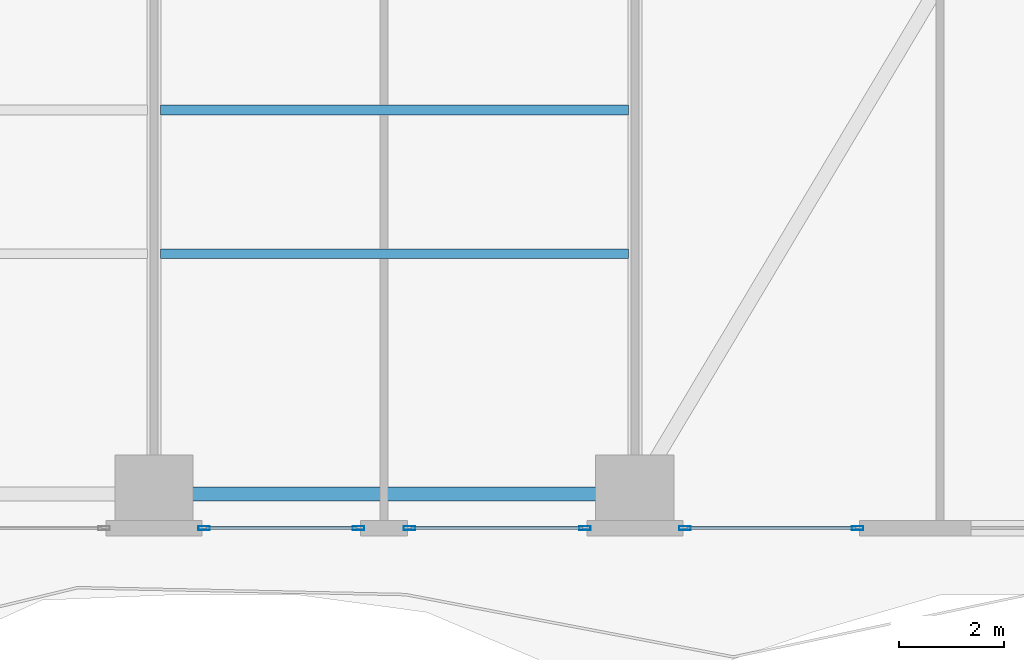
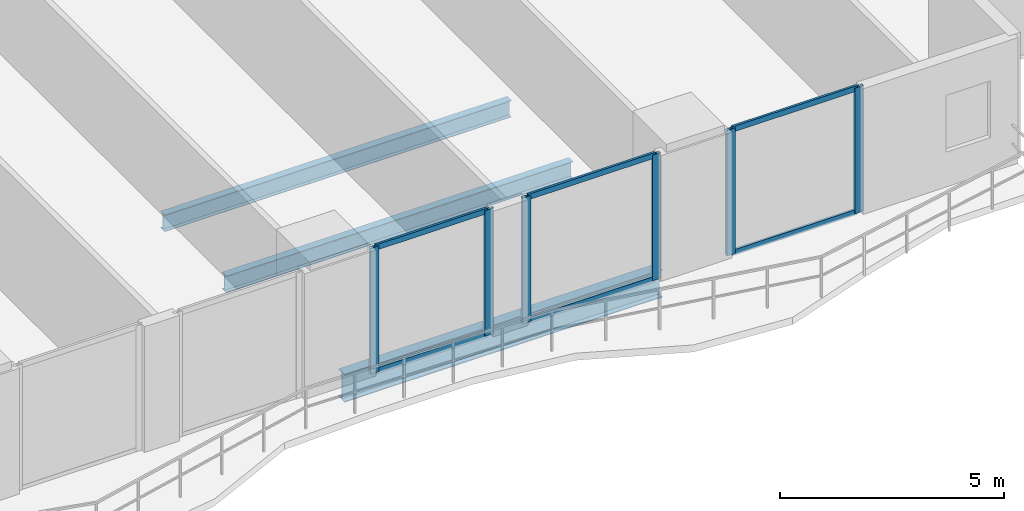
# One storey, part 8 of 29: 12 members, 3 beams, 3 elements without a shape of their own.
"""IFC4 building model written with IfcOpenShell, lengths in metres."""

from ifc_helpers import new_model, si_unit, direction, frame, origin, origin_2d, place, context, subcontext, project, spatial, hollow_rectangle, i_section, extrude, material, layer, layer_set, material_profile, profile_set, type_object, element, aggregate, save


model = new_model("IFC4")

# Units and contexts
model_context = context("Model", 3, precision=1e-05, world=origin(), true_north=direction((0.0, 1.0)))
body_context = subcontext(model_context, "Body", "Model", "MODEL_VIEW")
ifc_project = project(units=[si_unit("LENGTHUNIT", "METRE"), si_unit("AREAUNIT", "SQUARE_METRE"), si_unit("VOLUMEUNIT", "CUBIC_METRE"), si_unit("PLANEANGLEUNIT", "RADIAN"), si_unit("MASSUNIT", "GRAM", prefix="KILO")], contexts=[model_context])

# Site, building, storey
site_placement = place(None, origin())
site = spatial("IfcSite", under=ifc_project, at=site_placement, CompositionType="ELEMENT")
building_placement = place(site_placement, origin())
building = spatial("IfcBuilding", under=site, at=building_placement, Name="Zuhayl Quay Hotel", CompositionType="ELEMENT")
storey_placement = place(building_placement, frame((0.0, 0.0, 64.10009765625)))
storey = spatial("IfcBuildingStorey", under=building, at=storey_placement, Name="L15", CompositionType="ELEMENT", Elevation=64.10009765625)

# Beams
ifc_material_1 = material(Name="Steel ASTM A992 Grade 50", Category="steel")
ifc_material_profile_1 = material_profile(ifc_material_1, i_section(OverallWidth=0.26708984375, OverallDepth=0.761962890625, WebThickness=0.014404296875, FlangeThickness=0.021484375, at=origin_2d()), Name="W30X116")
ifc_profile_set_1 = profile_set([ifc_material_profile_1], Name="Steel ASTM A992 Grade 50")
beam_type_1 = type_object("IfcBeamType", Name="BM_B1_W30X116", PredefinedType="BEAM", material=ifc_profile_set_1)
beam_placement = place(storey_placement, frame((5.10009765625, -22.449951171875, -0.60107421875), z_axis=(1.0, 0.0, 0.0), x_axis=(0.0, 1.0, 0.0)))
element("IfcBeam", 1, at=beam_placement, inside=storey, type_object=beam_type_1, Name="L15 Floor Beam RG_L15_03", PredefinedType="BEAM", context=body_context, shape_type="SweptSolid", body=[
    extrude(i_section(OverallWidth=0.26708984375, OverallDepth=0.761962890625, WebThickness=0.014404296875, FlangeThickness=0.021484375, at=origin_2d()), origin(), (0.0, 0.0, 1.0), 8.199951171875),
])
ifc_material_profile_2 = material_profile(ifc_material_1, i_section(OverallWidth=0.18994140625, OverallDepth=0.45703125, WebThickness=0.009033203125, FlangeThickness=0.014404296875, at=origin_2d()), Name="W18X50")
ifc_profile_set_2 = profile_set([ifc_material_profile_2], Name="Steel ASTM A992 Grade 50")
beam_type_2 = type_object("IfcBeamType", Name="BM_J2_W18X50", PredefinedType="JOIST", material=ifc_profile_set_2)
for number, where, z_axis, x_axis, name in (
    (2, (4.7255859375, -17.85009765625, -0.448486328125), (1.0, 0.0, 0.0), (0.0, 1.0, 0.0), "L15 Floor Beam FJ_L15_3_3"),
    (3, (4.7255859375, -15.10009765625, -0.448486328125), (1.0, 0.0, 0.0), (0.0, 1.0, 0.0), "L15 Floor Beam FJ_L15_4_3"),
):
    element("IfcBeam", number, at=place(storey_placement, frame(where, z_axis=z_axis, x_axis=x_axis)), inside=storey, type_object=beam_type_2, Name=name, PredefinedType="JOIST", context=body_context, shape_type="SweptSolid", body=[
        extrude(i_section(OverallWidth=0.18994140625, OverallDepth=0.45703125, WebThickness=0.009033203125, FlangeThickness=0.014404296875, at=origin_2d()), origin(), (0.0, 0.0, 1.0), 8.948974609375),
    ])

# Curtain wall, members
ifc_material_2 = material(Name="Anodised Aluminium 6063-T6", Category="aluminium")
ifc_layer = layer(ifc_material_2, 0.18994140625, Name="Anodised Aluminium 6063-T6", Category="aluminium")
ifc_layer_set = layer_set([ifc_layer], Name="Anodised Aluminium 6063-T6")
curtain_wall_type = type_object("IfcCurtainWallType", Name="CW_SYS_Z1", PredefinedType="USERDEFINED", material=ifc_layer_set)
curtain_wall_1_placement = place(storey_placement, origin())
curtain_wall_1 = element("IfcCurtainWall", 4, at=curtain_wall_1_placement, inside=storey, type_object=curtain_wall_type, Name="L15 Curtain Wall ENV_L15_S_CW1", ObjectType="UNITISED CURTAIN WALL", PredefinedType="USERDEFINED")
ifc_material_3 = material(Name="Black-anodised aluminium 6063-T6", Category="aluminium")
ifc_material_profile_3 = material_profile(ifc_material_3, hollow_rectangle(XDim=0.074951171875, YDim=0.219970703125, WallThickness=0.00390625, at=origin_2d()), Name="ALU220X75")
ifc_profile_set_3 = profile_set([ifc_material_profile_3], Name="Black-anodised aluminium 6063-T6")
member_type_1 = type_object("IfcMemberType", Name="MB_CW_MUL_220", PredefinedType="MULLION", material=ifc_profile_set_3)
member_1_placement = place(storey_placement, frame((18.0625, -23.10009765625, 0.0), z_axis=(0.0, 0.0, 1.0), x_axis=(0.0, -1.0, 0.0)))
member_1 = element("IfcMember", 5, at=member_1_placement, type_object=member_type_1, Name="CW-Z1 mullion 1", PredefinedType="MULLION", context=body_context, shape_type="SweptSolid", body=[
    extrude(hollow_rectangle(XDim=0.074951171875, YDim=0.219970703125, WallThickness=0.00390625, at=origin_2d()), origin(), (0.0, 0.0, 1.0), 3.429931640625),
])
member_2_placement = place(storey_placement, frame((14.757568359375, -23.10009765625, 0.0), z_axis=(0.0, 0.0, 1.0), x_axis=(0.0, -1.0, 0.0)))
member_2 = element("IfcMember", 6, at=member_2_placement, type_object=member_type_1, Name="CW-Z1 mullion 2", PredefinedType="MULLION", context=body_context, shape_type="SweptSolid", body=[
    extrude(hollow_rectangle(XDim=0.074951171875, YDim=0.219970703125, WallThickness=0.00390625, at=origin_2d()), origin(), (0.0, 0.0, 1.0), 3.429931640625),
])

curtain_wall_2_placement = place(storey_placement, origin())
curtain_wall_2 = element("IfcCurtainWall", 7, at=curtain_wall_2_placement, inside=storey, type_object=curtain_wall_type, Name="L15 Curtain Wall ENV_L15_S_CW2", ObjectType="UNITISED CURTAIN WALL", PredefinedType="USERDEFINED")
member_3_placement = place(storey_placement, frame((12.842529296875, -23.10009765625, 0.0), z_axis=(0.0, 0.0, 1.0), x_axis=(0.0, -1.0, 0.0)))
member_3 = element("IfcMember", 8, at=member_3_placement, type_object=member_type_1, Name="CW-Z1 mullion 1", PredefinedType="MULLION", context=body_context, shape_type="SweptSolid", body=[
    extrude(hollow_rectangle(XDim=0.074951171875, YDim=0.219970703125, WallThickness=0.00390625, at=origin_2d()), origin(), (0.0, 0.0, 1.0), 3.429931640625),
])
member_4_placement = place(storey_placement, frame((9.487548828125, -23.10009765625, 0.0), z_axis=(0.0, 0.0, 1.0), x_axis=(0.0, -1.0, 0.0)))
member_4 = element("IfcMember", 9, at=member_4_placement, type_object=member_type_1, Name="CW-Z1 mullion 2", PredefinedType="MULLION", context=body_context, shape_type="SweptSolid", body=[
    extrude(hollow_rectangle(XDim=0.074951171875, YDim=0.219970703125, WallThickness=0.00390625, at=origin_2d()), origin(), (0.0, 0.0, 1.0), 3.429931640625),
])

curtain_wall_3_placement = place(storey_placement, origin())
curtain_wall_3 = element("IfcCurtainWall", 10, at=curtain_wall_3_placement, inside=storey, type_object=curtain_wall_type, Name="L15 Curtain Wall ENV_L15_S_CW3", ObjectType="UNITISED CURTAIN WALL", PredefinedType="USERDEFINED")
member_5_placement = place(storey_placement, frame((8.512451171875, -23.10009765625, 0.0), z_axis=(0.0, 0.0, 1.0), x_axis=(0.0, -1.0, 0.0)))
member_5 = element("IfcMember", 11, at=member_5_placement, type_object=member_type_1, Name="CW-Z1 mullion 1", PredefinedType="MULLION", context=body_context, shape_type="SweptSolid", body=[
    extrude(hollow_rectangle(XDim=0.074951171875, YDim=0.219970703125, WallThickness=0.00390625, at=origin_2d()), origin(), (0.0, 0.0, 1.0), 3.429931640625),
])
member_6_placement = place(storey_placement, frame((5.5576171875, -23.10009765625, 0.0), z_axis=(0.0, 0.0, 1.0), x_axis=(0.0, -1.0, 0.0)))
member_6 = element("IfcMember", 12, at=member_6_placement, type_object=member_type_1, Name="CW-Z1 mullion 2", PredefinedType="MULLION", context=body_context, shape_type="SweptSolid", body=[
    extrude(hollow_rectangle(XDim=0.074951171875, YDim=0.219970703125, WallThickness=0.00390625, at=origin_2d()), origin(), (0.0, 0.0, 1.0), 3.429931640625),
])

# Member
ifc_material_profile_4 = material_profile(ifc_material_3, hollow_rectangle(XDim=0.06005859375, YDim=0.14990234375, WallThickness=0.00341796875, at=origin_2d()), Name="ALU150X60")
ifc_profile_set_4 = profile_set([ifc_material_profile_4], Name="Black-anodised aluminium 6063-T6")
member_type_2 = type_object("IfcMemberType", Name="MB_CW_TRN_150", PredefinedType="USERDEFINED", material=ifc_profile_set_4)
member_7_placement = place(storey_placement, frame((18.02490234375, -23.10009765625, 0.02978515625), z_axis=(-1.0, 0.0, 0.0), x_axis=(0.0, -1.0, 0.0)))
member_7 = element("IfcMember", 13, at=member_7_placement, type_object=member_type_2, Name="CW-Z1 transom 1.1", ObjectType="TRANSOM", PredefinedType="USERDEFINED", context=body_context, shape_type="SweptSolid", body=[
    extrude(hollow_rectangle(XDim=0.06005859375, YDim=0.14990234375, WallThickness=0.00341796875, at=origin_2d()), origin(), (0.0, 0.0, 1.0), 3.22998046875),
])

member_8_placement = place(storey_placement, frame((18.02490234375, -23.10009765625, 3.39990234375), z_axis=(-1.0, 0.0, 0.0), x_axis=(0.0, -1.0, 0.0)))
member_8 = element("IfcMember", 14, at=member_8_placement, type_object=member_type_2, Name="CW-Z1 transom 1.2", ObjectType="TRANSOM", PredefinedType="USERDEFINED", context=body_context, shape_type="SweptSolid", body=[
    extrude(hollow_rectangle(XDim=0.06005859375, YDim=0.14990234375, WallThickness=0.00341796875, at=origin_2d()), origin(), (0.0, 0.0, 1.0), 3.22998046875),
])

aggregate(curtain_wall_1, [member_1, member_2, member_7, member_8])

member_9_placement = place(storey_placement, frame((12.804931640625, -23.10009765625, 0.02978515625), z_axis=(-1.0, 0.0, 0.0), x_axis=(0.0, -1.0, 0.0)))
member_9 = element("IfcMember", 15, at=member_9_placement, type_object=member_type_2, Name="CW-Z1 transom 1.1", ObjectType="TRANSOM", PredefinedType="USERDEFINED", context=body_context, shape_type="SweptSolid", body=[
    extrude(hollow_rectangle(XDim=0.06005859375, YDim=0.14990234375, WallThickness=0.00341796875, at=origin_2d()), origin(), (0.0, 0.0, 1.0), 3.280029296875),
])

member_10_placement = place(storey_placement, frame((12.804931640625, -23.10009765625, 3.39990234375), z_axis=(-1.0, 0.0, 0.0), x_axis=(0.0, -1.0, 0.0)))
member_10 = element("IfcMember", 16, at=member_10_placement, type_object=member_type_2, Name="CW-Z1 transom 1.2", ObjectType="TRANSOM", PredefinedType="USERDEFINED", context=body_context, shape_type="SweptSolid", body=[
    extrude(hollow_rectangle(XDim=0.06005859375, YDim=0.14990234375, WallThickness=0.00341796875, at=origin_2d()), origin(), (0.0, 0.0, 1.0), 3.280029296875),
])

aggregate(curtain_wall_2, [member_3, member_4, member_9, member_10])

member_11_placement = place(storey_placement, frame((8.47509765625, -23.10009765625, 0.02978515625), z_axis=(-1.0, 0.0, 0.0), x_axis=(0.0, -1.0, 0.0)))
member_11 = element("IfcMember", 17, at=member_11_placement, type_object=member_type_2, Name="CW-Z1 transom 1.1", ObjectType="TRANSOM", PredefinedType="USERDEFINED", context=body_context, shape_type="SweptSolid", body=[
    extrude(hollow_rectangle(XDim=0.06005859375, YDim=0.14990234375, WallThickness=0.00341796875, at=origin_2d()), origin(), (0.0, 0.0, 1.0), 2.880126953125),
])

member_12_placement = place(storey_placement, frame((8.47509765625, -23.10009765625, 3.39990234375), z_axis=(-1.0, 0.0, 0.0), x_axis=(0.0, -1.0, 0.0)))
member_12 = element("IfcMember", 18, at=member_12_placement, type_object=member_type_2, Name="CW-Z1 transom 1.2", ObjectType="TRANSOM", PredefinedType="USERDEFINED", context=body_context, shape_type="SweptSolid", body=[
    extrude(hollow_rectangle(XDim=0.06005859375, YDim=0.14990234375, WallThickness=0.00341796875, at=origin_2d()), origin(), (0.0, 0.0, 1.0), 2.880126953125),
])

aggregate(curtain_wall_3, [member_5, member_6, member_11, member_12])

save(model, "model.ifc")
